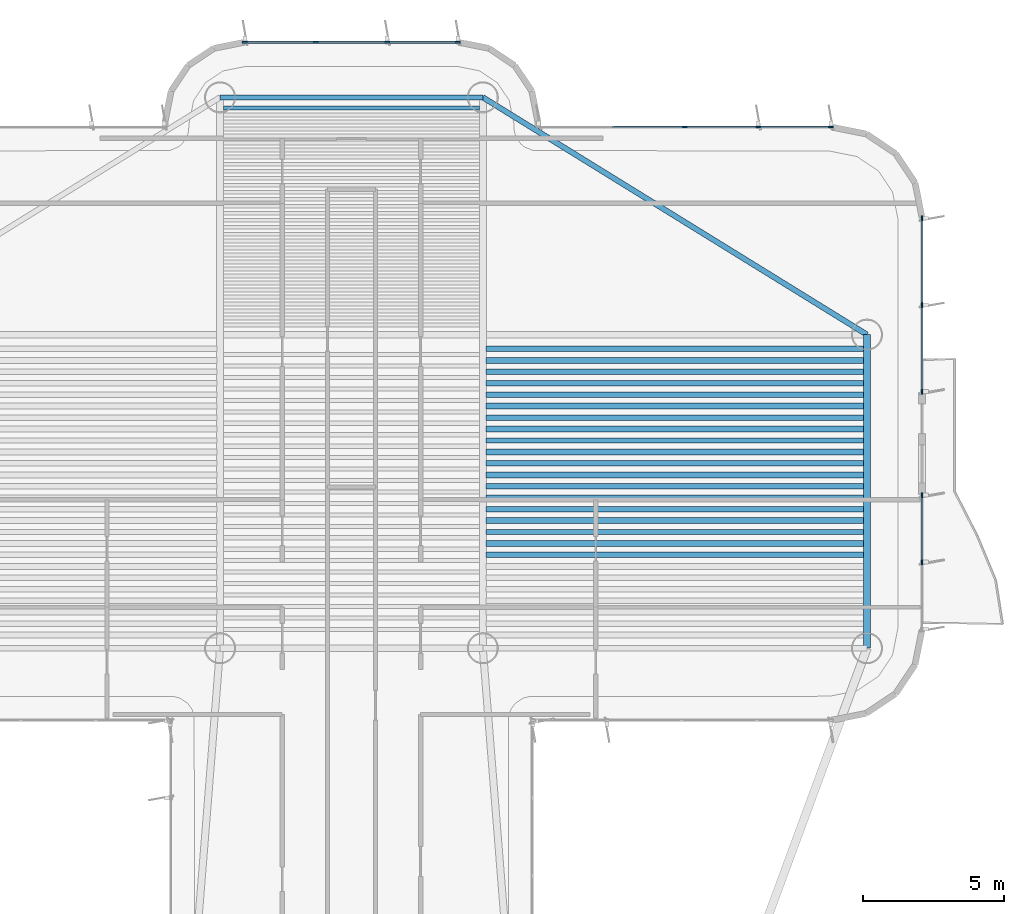
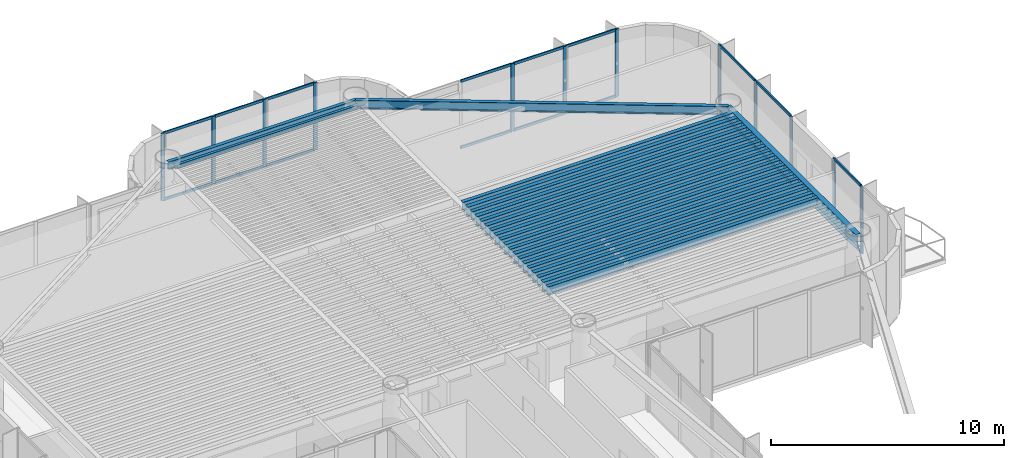
# One storey, part 7 of 14: 30 members, 23 beams, 4 elements without a shape of their own.
"""IFC4 building model written with IfcOpenShell, lengths in metres."""

from ifc_helpers import new_model, si_unit, direction, frame, origin, origin_2d, place, context, subcontext, project, spatial, rectangle, i_section, extrude, source, transform, mapped, material, layer, layer_set, material_profile, profile_set, type_object, element, aggregate, save


model = new_model("IFC4")

# Units and contexts
model_context = context("Model", 3, precision=1e-05, world=origin(), true_north=direction((0.0, 1.0)))
body_context = subcontext(model_context, "Body", "Model", "MODEL_VIEW")
ifc_project = project(units=[si_unit("LENGTHUNIT", "METRE"), si_unit("AREAUNIT", "SQUARE_METRE"), si_unit("VOLUMEUNIT", "CUBIC_METRE"), si_unit("PLANEANGLEUNIT", "RADIAN"), si_unit("MASSUNIT", "GRAM", prefix="KILO")], contexts=[model_context])

# Site, building, storey
site_placement = place(None, origin())
site = spatial("IfcSite", under=ifc_project, at=site_placement, CompositionType="ELEMENT")
building_placement = place(site_placement, origin())
building = spatial("IfcBuilding", under=site, at=building_placement, Name="Brelvock Crest Care Tower", CompositionType="ELEMENT")
storey_placement = place(building_placement, frame((0.0, 0.0, 175.320068359375)))
storey = spatial("IfcBuildingStorey", under=building, at=storey_placement, Name="L44", CompositionType="ELEMENT", Elevation=175.320068359375)

# Beams
ifc_material_1 = material(Name="Steel Grade 350", Category="steel")
ifc_material_profile_1 = material_profile(ifc_material_1, i_section(OverallWidth=0.177978515625, OverallDepth=0.406005859375, WebThickness=0.0078125, FlangeThickness=0.0126953125, FilletRadius=0.011474609375, at=origin_2d()), Name="410UB59.7")
ifc_profile_set_1 = profile_set([ifc_material_profile_1], Name="Steel Grade 350")
beam_type_1 = type_object("IfcBeamType", Name="BM-SP1", PredefinedType="SPANDREL", material=ifc_profile_set_1)
shared_shape_1 = source(origin(), body_context, "Body", "SweptSolid", [
    extrude(i_section(OverallWidth=0.177978515625, OverallDepth=0.406005859375, WebThickness=0.0078125, FlangeThickness=0.0126953125, FilletRadius=0.011474609375, at=origin_2d()), origin(), (0.0, 0.0, 1.0), 9.2998046875),
])
beam_1_placement = place(storey_placement, frame((31.35009765625, 54.449951171875, 3.326904296875), z_axis=(1.0, 0.0, 0.0), x_axis=(0.0, 1.0, 0.0)))
element("IfcBeam", 1, at=beam_1_placement, inside=storey, type_object=beam_type_1, Name="BM-TWR-L44-08", PredefinedType="SPANDREL", context=body_context, shape_type="MappedRepresentation", body=[
    mapped(shared_shape_1, transform((0.0, 0.0, 0.0), x_axis=(1.0, 0.0, 0.0), y_axis=(0.0, 1.0, 0.0), z_axis=(0.0, 0.0, 1.0), scale=1.0)),
])
ifc_material_profile_2 = material_profile(ifc_material_1, i_section(OverallWidth=0.134033203125, OverallDepth=0.20703125, WebThickness=0.00634765625, FlangeThickness=0.009521484375, FilletRadius=0.0087890625, at=origin_2d()), Name="200UB29.8")
ifc_profile_set_2 = profile_set([ifc_material_profile_2], Name="Steel Grade 350")
beam_type_2 = type_object("IfcBeamType", Name="BM-J4", PredefinedType="JOIST", material=ifc_profile_set_2)
shared_shape_2 = source(origin(), body_context, "Body", "SweptSolid", [
    extrude(i_section(OverallWidth=0.134033203125, OverallDepth=0.20703125, WebThickness=0.00634765625, FlangeThickness=0.009521484375, FilletRadius=0.0087890625, at=origin_2d()), origin(), (0.0, 0.0, 1.0), 9.06982421875),
])
beam_2_placement = place(storey_placement, frame((31.465087890625, 54.06787109375, 3.426513671875), z_axis=(1.0, 0.0, 0.0), x_axis=(0.0, 1.0, 0.0)))
element("IfcBeam", 2, at=beam_2_placement, inside=storey, type_object=beam_type_2, Name="BM-JN-L44-32", PredefinedType="JOIST", context=body_context, shape_type="MappedRepresentation", body=[
    mapped(shared_shape_2, transform((0.0, 0.0, 0.0), x_axis=(1.0, 0.0, 0.0), y_axis=(0.0, 1.0, 0.0), z_axis=(0.0, 0.0, 1.0), scale=1.0)),
])
ifc_material_profile_3 = material_profile(ifc_material_1, i_section(OverallWidth=0.208984375, OverallDepth=0.532958984375, WebThickness=0.01025390625, FlangeThickness=0.015625, FilletRadius=0.013916015625, at=origin_2d()), Name="530UB92.4")
ifc_profile_set_3 = profile_set([ifc_material_profile_3], Name="Steel Grade 350")
beam_type_3 = type_object("IfcBeamType", Name="BM-G2", PredefinedType="BEAM", material=ifc_profile_set_3)
shared_shape_3 = source(origin(), body_context, "Body", "SweptSolid", [
    extrude(i_section(OverallWidth=0.208984375, OverallDepth=0.532958984375, WebThickness=0.01025390625, FlangeThickness=0.015625, FilletRadius=0.013916015625, at=origin_2d()), origin(), (0.0, 0.0, 1.0), 13.3701171875),
])
for number, where, z_axis, x_axis, name in (
    (3, (40.764892578125, 38.657470703125, 3.263427734375), (1.0, 0.0, 0.0), (0.0, 1.0, 0.0), "BM-JE-L44-9"),
    (4, (40.764892578125, 39.4677734375, 3.263427734375), (1.0, 0.0, 0.0), (0.0, 1.0, 0.0), "BM-JE-L44-11"),
    (5, (40.764892578125, 40.278076171875, 3.263427734375), (1.0, 0.0, 0.0), (0.0, 1.0, 0.0), "BM-JE-L44-13"),
    (6, (40.764892578125, 41.08837890625, 3.263427734375), (1.0, 0.0, 0.0), (0.0, 1.0, 0.0), "BM-JE-L44-15"),
    (7, (40.764892578125, 41.898681640625, 3.263427734375), (1.0, 0.0, 0.0), (0.0, 1.0, 0.0), "BM-JE-L44-17"),
    (8, (40.764892578125, 42.708984375, 3.263427734375), (1.0, 0.0, 0.0), (0.0, 1.0, 0.0), "BM-JE-L44-19"),
    (9, (40.764892578125, 43.519287109375, 3.263427734375), (1.0, 0.0, 0.0), (0.0, 1.0, 0.0), "BM-JE-L44-21"),
    (10, (40.764892578125, 44.32958984375, 3.263427734375), (1.0, 0.0, 0.0), (0.0, 1.0, 0.0), "BM-JE-L44-23"),
    (11, (40.764892578125, 45.139892578125, 3.263427734375), (1.0, 0.0, 0.0), (0.0, 1.0, 0.0), "BM-JE-L44-25"),
):
    element("IfcBeam", number, at=place(storey_placement, frame(where, z_axis=z_axis, x_axis=x_axis)), inside=storey, type_object=beam_type_3, Name=name, PredefinedType="BEAM", context=body_context, shape_type="MappedRepresentation", body=[
        mapped(shared_shape_3, transform((0.0, 0.0, 0.0), x_axis=(1.0, 0.0, 0.0), y_axis=(0.0, 1.0, 0.0), z_axis=(0.0, 0.0, 1.0), scale=1.0)),
    ])
ifc_material_profile_4 = material_profile(ifc_material_1, i_section(OverallWidth=0.19091796875, OverallDepth=0.4599609375, WebThickness=0.010009765625, FlangeThickness=0.01611328125, FilletRadius=0.011474609375, at=origin_2d()), Name="460UB82.1")
ifc_profile_set_4 = profile_set([ifc_material_profile_4], Name="Steel Grade 350")
beam_type_4 = type_object("IfcBeamType", Name="BM-G3", PredefinedType="BEAM", material=ifc_profile_set_4)
shared_shape_4 = source(origin(), body_context, "Body", "SweptSolid", [
    extrude(i_section(OverallWidth=0.19091796875, OverallDepth=0.4599609375, WebThickness=0.010009765625, FlangeThickness=0.01611328125, FilletRadius=0.011474609375, at=origin_2d()), origin(), (0.0, 0.0, 1.0), 13.3701171875),
])
for number, where, z_axis, x_axis, name in (
    (12, (40.764892578125, 38.252197265625, 3.300048828125), (1.0, 0.0, 0.0), (0.0, 1.0, 0.0), "BM-JE-L44-8"),
    (13, (40.764892578125, 39.0625, 3.300048828125), (1.0, 0.0, 0.0), (0.0, 1.0, 0.0), "BM-JE-L44-10"),
    (14, (40.764892578125, 39.872802734375, 3.300048828125), (1.0, 0.0, 0.0), (0.0, 1.0, 0.0), "BM-JE-L44-12"),
    (15, (40.764892578125, 40.68310546875, 3.300048828125), (1.0, 0.0, 0.0), (0.0, 1.0, 0.0), "BM-JE-L44-14"),
    (16, (40.764892578125, 41.493408203125, 3.300048828125), (1.0, 0.0, 0.0), (0.0, 1.0, 0.0), "BM-JE-L44-16"),
    (17, (40.764892578125, 42.3037109375, 3.300048828125), (1.0, 0.0, 0.0), (0.0, 1.0, 0.0), "BM-JE-L44-18"),
    (18, (40.764892578125, 43.114013671875, 3.300048828125), (1.0, 0.0, 0.0), (0.0, 1.0, 0.0), "BM-JE-L44-20"),
    (19, (40.764892578125, 43.92431640625, 3.300048828125), (1.0, 0.0, 0.0), (0.0, 1.0, 0.0), "BM-JE-L44-22"),
    (20, (40.764892578125, 44.734619140625, 3.300048828125), (1.0, 0.0, 0.0), (0.0, 1.0, 0.0), "BM-JE-L44-24"),
    (21, (40.764892578125, 45.544921875, 3.300048828125), (1.0, 0.0, 0.0), (0.0, 1.0, 0.0), "BM-JE-L44-26"),
):
    element("IfcBeam", number, at=place(storey_placement, frame(where, z_axis=z_axis, x_axis=x_axis)), inside=storey, type_object=beam_type_4, Name=name, PredefinedType="BEAM", context=body_context, shape_type="MappedRepresentation", body=[
        mapped(shared_shape_4, transform((0.0, 0.0, 0.0), x_axis=(1.0, 0.0, 0.0), y_axis=(0.0, 1.0, 0.0), z_axis=(0.0, 0.0, 1.0), scale=1.0)),
    ])
ifc_material_profile_5 = material_profile(ifc_material_1, i_section(OverallWidth=0.25, OverallDepth=0.699951171875, WebThickness=0.011962890625, FlangeThickness=0.02001953125, at=origin_2d()), Name="700WB150")
ifc_profile_set_5 = profile_set([ifc_material_profile_5], Name="Steel Grade 350")
beam_type_5 = type_object("IfcBeamType", Name="BM-G4", PredefinedType="BEAM", material=ifc_profile_set_5)
shared_shape_5 = source(origin(), body_context, "Body", "SweptSolid", [
    extrude(i_section(OverallWidth=0.25, OverallDepth=0.699951171875, WebThickness=0.011962890625, FlangeThickness=0.02001953125, at=origin_2d()), origin(), (0.0, 0.0, 1.0), 11.10009765625),
])
beam_3_placement = place(storey_placement, frame((54.25, 34.949951171875, 3.179931640625), z_axis=(0.0, 1.0, 0.0), x_axis=(-1.0, 0.0, 0.0)))
element("IfcBeam", 22, at=beam_3_placement, inside=storey, type_object=beam_type_5, Name="BM-TWR-L44-02", PredefinedType="BEAM", context=body_context, shape_type="MappedRepresentation", body=[
    mapped(shared_shape_5, transform((0.0, 0.0, 0.0), x_axis=(1.0, 0.0, 0.0), y_axis=(0.0, 1.0, 0.0), z_axis=(0.0, 0.0, 1.0), scale=1.0)),
])
ifc_material_profile_6 = material_profile(ifc_material_1, i_section(OverallWidth=0.19091796875, OverallDepth=0.4599609375, WebThickness=0.010009765625, FlangeThickness=0.01611328125, FilletRadius=0.011474609375, at=origin_2d()), Name="460UB82.1")
ifc_profile_set_6 = profile_set([ifc_material_profile_6], Name="Steel Grade 350")
beam_type_6 = type_object("IfcBeamType", Name="BM-SP2", PredefinedType="SPANDREL", material=ifc_profile_set_6)
shared_shape_6 = source(origin(), body_context, "Body", "SweptSolid", [
    extrude(i_section(OverallWidth=0.19091796875, OverallDepth=0.4599609375, WebThickness=0.010009765625, FlangeThickness=0.01611328125, FilletRadius=0.011474609375, at=origin_2d()), origin(), (0.0, 0.0, 1.0), 15.985107421875),
])
beam_4_placement = place(storey_placement, frame((40.64990234375, 54.449951171875, 3.300048828125), z_axis=(0.850802415717, -0.525485727124, 0.0), x_axis=(0.525485727124, 0.850802415717, 0.0)))
element("IfcBeam", 23, at=beam_4_placement, inside=storey, type_object=beam_type_6, Name="BM-TWR-L44-07", PredefinedType="SPANDREL", context=body_context, shape_type="MappedRepresentation", body=[
    mapped(shared_shape_6, transform((0.0, 0.0, 0.0), x_axis=(1.0, 0.0, 0.0), y_axis=(0.0, 1.0, 0.0), z_axis=(0.0, 0.0, 1.0), scale=1.0)),
])

# Curtain wall, members
ifc_material_2 = material(Name="Dark Glass Double Glazed Low-E", Category="glass")
ifc_layer = layer(ifc_material_2, 0.22509765625, Name="CWS-4")
ifc_layer_set = layer_set([ifc_layer], Name="Dark Glass Double Glazed Low-E")
curtain_wall_type = type_object("IfcCurtainWallType", Name="CWS-4", PredefinedType="NOTDEFINED", material=ifc_layer_set)
curtain_wall_1_placement = place(storey_placement, origin())
curtain_wall_1 = element("IfcCurtainWall", 24, at=curtain_wall_1_placement, inside=storey, type_object=curtain_wall_type, Name="L44 Curtain Wall E28", PredefinedType="NOTDEFINED")
ifc_material_3 = material(Name="Aluminium 6063-T6", Category="aluminium")
ifc_material_profile_7 = material_profile(ifc_material_3, rectangle(XDim=0.06005859375, YDim=0.179931640625, at=origin_2d()), Name="ALU60x180")
ifc_profile_set_7 = profile_set([ifc_material_profile_7], Name="Aluminium 6063-T6")
member_type_1 = type_object("IfcMemberType", Name="CWM-2", PredefinedType="MULLION", material=ifc_profile_set_7)
shared_shape_7 = source(origin(), body_context, "Body", "SweptSolid", [
    extrude(rectangle(XDim=0.06005859375, YDim=0.179931640625, at=origin_2d()), origin(), (0.0, 0.0, 1.0), 3.530029296875),
])
member_1_placement = place(storey_placement, frame((32.22998046875, 56.39990234375, 0.0), z_axis=(0.0, 0.0, 1.0), x_axis=(0.0, 1.0, 0.0)))
member_1 = element("IfcMember", 25, at=member_1_placement, type_object=member_type_1, Name="CW-4 mullion 1", PredefinedType="MULLION", context=body_context, shape_type="MappedRepresentation", body=[
    mapped(shared_shape_7, transform((0.0, 0.0, 0.0), x_axis=(1.0, 0.0, 0.0), y_axis=(0.0, 1.0, 0.0), z_axis=(0.0, 0.0, 1.0), scale=1.0)),
])
member_2_placement = place(storey_placement, frame((34.7333984375, 56.39990234375, 0.0), z_axis=(0.0, 0.0, 1.0), x_axis=(0.0, 1.0, 0.0)))
member_2 = element("IfcMember", 26, at=member_2_placement, type_object=member_type_1, Name="CW-4 mullion 2", PredefinedType="MULLION", context=body_context, shape_type="MappedRepresentation", body=[
    mapped(shared_shape_7, transform((0.0, 0.0, 0.0), x_axis=(1.0, 0.0, 0.0), y_axis=(0.0, 1.0, 0.0), z_axis=(0.0, 0.0, 1.0), scale=1.0)),
])
member_3_placement = place(storey_placement, frame((37.2666015625, 56.39990234375, 0.0), z_axis=(0.0, 0.0, 1.0), x_axis=(0.0, 1.0, 0.0)))
member_3 = element("IfcMember", 27, at=member_3_placement, type_object=member_type_1, Name="CW-4 mullion 3", PredefinedType="MULLION", context=body_context, shape_type="MappedRepresentation", body=[
    mapped(shared_shape_7, transform((0.0, 0.0, 0.0), x_axis=(1.0, 0.0, 0.0), y_axis=(0.0, 1.0, 0.0), z_axis=(0.0, 0.0, 1.0), scale=1.0)),
])
member_4_placement = place(storey_placement, frame((39.77001953125, 56.39990234375, 0.0), z_axis=(0.0, 0.0, 1.0), x_axis=(0.0, 1.0, 0.0)))
member_4 = element("IfcMember", 28, at=member_4_placement, type_object=member_type_1, Name="CW-4 mullion 4", PredefinedType="MULLION", context=body_context, shape_type="MappedRepresentation", body=[
    mapped(shared_shape_7, transform((0.0, 0.0, 0.0), x_axis=(1.0, 0.0, 0.0), y_axis=(0.0, 1.0, 0.0), z_axis=(0.0, 0.0, 1.0), scale=1.0)),
])

curtain_wall_2_placement = place(storey_placement, origin())
curtain_wall_2 = element("IfcCurtainWall", 29, at=curtain_wall_2_placement, inside=storey, type_object=curtain_wall_type, Name="L44 Curtain Wall E34", PredefinedType="NOTDEFINED")
member_5_placement = place(storey_placement, frame((47.800048828125, 53.39990234375, 0.0), z_axis=(0.0, 0.0, 1.0), x_axis=(0.0, 1.0, 0.0)))
member_5 = element("IfcMember", 30, at=member_5_placement, type_object=member_type_1, Name="CW-4 mullion 3", PredefinedType="MULLION", context=body_context, shape_type="MappedRepresentation", body=[
    mapped(shared_shape_7, transform((0.0, 0.0, 0.0), x_axis=(1.0, 0.0, 0.0), y_axis=(0.0, 1.0, 0.0), z_axis=(0.0, 0.0, 1.0), scale=1.0)),
])
member_6_placement = place(storey_placement, frame((50.39990234375, 53.39990234375, 0.0), z_axis=(0.0, 0.0, 1.0), x_axis=(0.0, 1.0, 0.0)))
member_6 = element("IfcMember", 31, at=member_6_placement, type_object=member_type_1, Name="CW-4 mullion 4", PredefinedType="MULLION", context=body_context, shape_type="MappedRepresentation", body=[
    mapped(shared_shape_7, transform((0.0, 0.0, 0.0), x_axis=(1.0, 0.0, 0.0), y_axis=(0.0, 1.0, 0.0), z_axis=(0.0, 0.0, 1.0), scale=1.0)),
])
member_7_placement = place(storey_placement, frame((52.969970703125, 53.39990234375, 0.0), z_axis=(0.0, 0.0, 1.0), x_axis=(0.0, 1.0, 0.0)))
member_7 = element("IfcMember", 32, at=member_7_placement, type_object=member_type_1, Name="CW-4 mullion 5", PredefinedType="MULLION", context=body_context, shape_type="MappedRepresentation", body=[
    mapped(shared_shape_7, transform((0.0, 0.0, 0.0), x_axis=(1.0, 0.0, 0.0), y_axis=(0.0, 1.0, 0.0), z_axis=(0.0, 0.0, 1.0), scale=1.0)),
])

curtain_wall_3_placement = place(storey_placement, origin())
curtain_wall_3 = element("IfcCurtainWall", 33, at=curtain_wall_3_placement, inside=storey, type_object=curtain_wall_type, Name="L44 Curtain Wall E39A", PredefinedType="NOTDEFINED")
member_8_placement = place(storey_placement, frame((56.199951171875, 50.169921875, 0.0), z_axis=(0.0, 0.0, 1.0), x_axis=(1.0, 0.0, 0.0)))
member_8 = element("IfcMember", 34, at=member_8_placement, type_object=member_type_1, Name="CW-4 mullion 1", PredefinedType="MULLION", context=body_context, shape_type="MappedRepresentation", body=[
    mapped(shared_shape_7, transform((0.0, 0.0, 0.0), x_axis=(1.0, 0.0, 0.0), y_axis=(0.0, 1.0, 0.0), z_axis=(0.0, 0.0, 1.0), scale=1.0)),
])
member_9_placement = place(storey_placement, frame((56.199951171875, 47.10009765625, 0.0), z_axis=(0.0, 0.0, 1.0), x_axis=(1.0, 0.0, 0.0)))
member_9 = element("IfcMember", 35, at=member_9_placement, type_object=member_type_1, Name="CW-4 mullion 2", PredefinedType="MULLION", context=body_context, shape_type="MappedRepresentation", body=[
    mapped(shared_shape_7, transform((0.0, 0.0, 0.0), x_axis=(1.0, 0.0, 0.0), y_axis=(0.0, 1.0, 0.0), z_axis=(0.0, 0.0, 1.0), scale=1.0)),
])
member_10_placement = place(storey_placement, frame((56.199951171875, 44.030029296875, 0.0), z_axis=(0.0, 0.0, 1.0), x_axis=(1.0, 0.0, 0.0)))
member_10 = element("IfcMember", 36, at=member_10_placement, type_object=member_type_1, Name="CW-4 mullion 3", PredefinedType="MULLION", context=body_context, shape_type="MappedRepresentation", body=[
    mapped(shared_shape_7, transform((0.0, 0.0, 0.0), x_axis=(1.0, 0.0, 0.0), y_axis=(0.0, 1.0, 0.0), z_axis=(0.0, 0.0, 1.0), scale=1.0)),
])

curtain_wall_4_placement = place(storey_placement, origin())
curtain_wall_4 = element("IfcCurtainWall", 37, at=curtain_wall_4_placement, inside=storey, type_object=curtain_wall_type, Name="L44 Curtain Wall E39B", PredefinedType="NOTDEFINED")
member_11_placement = place(storey_placement, frame((56.199951171875, 40.3701171875, 0.0), z_axis=(0.0, 0.0, 1.0), x_axis=(1.0, 0.0, 0.0)))
member_11 = element("IfcMember", 38, at=member_11_placement, type_object=member_type_1, Name="CW-4 mullion 1", PredefinedType="MULLION", context=body_context, shape_type="MappedRepresentation", body=[
    mapped(shared_shape_7, transform((0.0, 0.0, 0.0), x_axis=(1.0, 0.0, 0.0), y_axis=(0.0, 1.0, 0.0), z_axis=(0.0, 0.0, 1.0), scale=1.0)),
])
member_12_placement = place(storey_placement, frame((56.199951171875, 38.0, 0.0), z_axis=(0.0, 0.0, 1.0), x_axis=(1.0, 0.0, 0.0)))
member_12 = element("IfcMember", 39, at=member_12_placement, type_object=member_type_1, Name="CW-4 mullion 2", PredefinedType="MULLION", context=body_context, shape_type="MappedRepresentation", body=[
    mapped(shared_shape_7, transform((0.0, 0.0, 0.0), x_axis=(1.0, 0.0, 0.0), y_axis=(0.0, 1.0, 0.0), z_axis=(0.0, 0.0, 1.0), scale=1.0)),
])

# Member
ifc_material_profile_8 = material_profile(ifc_material_3, rectangle(XDim=0.06005859375, YDim=0.139892578125, at=origin_2d()), Name="ALU60x140")
ifc_profile_set_8 = profile_set([ifc_material_profile_8], Name="Aluminium 6063-T6")
member_type_2 = type_object("IfcMemberType", Name="CWT-2", PredefinedType="USERDEFINED", material=ifc_profile_set_8)
shared_shape_8 = source(origin(), body_context, "Body", "SweptSolid", [
    extrude(rectangle(XDim=0.06005859375, YDim=0.139892578125, at=origin_2d()), origin(), (0.0, 0.0, 1.0), 2.443359375),
])
member_13_placement = place(storey_placement, frame((32.260009765625, 56.39990234375, 0.030029296875), z_axis=(1.0, 0.0, 0.0), x_axis=(0.0, 1.0, 0.0)))
member_13 = element("IfcMember", 40, at=member_13_placement, type_object=member_type_2, Name="CW-4 transom 1.1", ObjectType="TRANSOM", PredefinedType="USERDEFINED", context=body_context, shape_type="MappedRepresentation", body=[
    mapped(shared_shape_8, transform((0.0, 0.0, 0.0), x_axis=(1.0, 0.0, 0.0), y_axis=(0.0, 1.0, 0.0), z_axis=(0.0, 0.0, 1.0), scale=1.0)),
])

member_14_placement = place(storey_placement, frame((32.260009765625, 56.39990234375, 3.5), z_axis=(1.0, 0.0, 0.0), x_axis=(0.0, 1.0, 0.0)))
member_14 = element("IfcMember", 41, at=member_14_placement, type_object=member_type_2, Name="CW-4 transom 1.2", ObjectType="TRANSOM", PredefinedType="USERDEFINED", context=body_context, shape_type="MappedRepresentation", body=[
    mapped(shared_shape_8, transform((0.0, 0.0, 0.0), x_axis=(1.0, 0.0, 0.0), y_axis=(0.0, 1.0, 0.0), z_axis=(0.0, 0.0, 1.0), scale=1.0)),
])

member_15_placement = place(storey_placement, frame((37.296630859375, 56.39990234375, 0.030029296875), z_axis=(1.0, 0.0, 0.0), x_axis=(0.0, 1.0, 0.0)))
member_15 = element("IfcMember", 42, at=member_15_placement, type_object=member_type_2, Name="CW-4 transom 3.1", ObjectType="TRANSOM", PredefinedType="USERDEFINED", context=body_context, shape_type="MappedRepresentation", body=[
    mapped(shared_shape_8, transform((0.0, 0.0, 0.0), x_axis=(1.0, 0.0, 0.0), y_axis=(0.0, 1.0, 0.0), z_axis=(0.0, 0.0, 1.0), scale=1.0)),
])

member_16_placement = place(storey_placement, frame((37.296630859375, 56.39990234375, 3.5), z_axis=(1.0, 0.0, 0.0), x_axis=(0.0, 1.0, 0.0)))
member_16 = element("IfcMember", 43, at=member_16_placement, type_object=member_type_2, Name="CW-4 transom 3.2", ObjectType="TRANSOM", PredefinedType="USERDEFINED", context=body_context, shape_type="MappedRepresentation", body=[
    mapped(shared_shape_8, transform((0.0, 0.0, 0.0), x_axis=(1.0, 0.0, 0.0), y_axis=(0.0, 1.0, 0.0), z_axis=(0.0, 0.0, 1.0), scale=1.0)),
])

shared_shape_9 = source(origin(), body_context, "Body", "SweptSolid", [
    extrude(rectangle(XDim=0.06005859375, YDim=0.139892578125, at=origin_2d()), origin(), (0.0, 0.0, 1.0), 2.47314453125),
])
member_17_placement = place(storey_placement, frame((34.763427734375, 56.39990234375, 0.030029296875), z_axis=(1.0, 0.0, 0.0), x_axis=(0.0, 1.0, 0.0)))
member_17 = element("IfcMember", 44, at=member_17_placement, type_object=member_type_2, Name="CW-4 transom 2.1", ObjectType="TRANSOM", PredefinedType="USERDEFINED", context=body_context, shape_type="MappedRepresentation", body=[
    mapped(shared_shape_9, transform((0.0, 0.0, 0.0), x_axis=(1.0, 0.0, 0.0), y_axis=(0.0, 1.0, 0.0), z_axis=(0.0, 0.0, 1.0), scale=1.0)),
])

member_18_placement = place(storey_placement, frame((34.763427734375, 56.39990234375, 3.5), z_axis=(1.0, 0.0, 0.0), x_axis=(0.0, 1.0, 0.0)))
member_18 = element("IfcMember", 45, at=member_18_placement, type_object=member_type_2, Name="CW-4 transom 2.2", ObjectType="TRANSOM", PredefinedType="USERDEFINED", context=body_context, shape_type="MappedRepresentation", body=[
    mapped(shared_shape_9, transform((0.0, 0.0, 0.0), x_axis=(1.0, 0.0, 0.0), y_axis=(0.0, 1.0, 0.0), z_axis=(0.0, 0.0, 1.0), scale=1.0)),
])

aggregate(curtain_wall_1, [member_1, member_2, member_3, member_4, member_13, member_14, member_17, member_18, member_15, member_16])

shared_shape_10 = source(origin(), body_context, "Body", "SweptSolid", [
    extrude(rectangle(XDim=0.06005859375, YDim=0.139892578125, at=origin_2d()), origin(), (0.0, 0.0, 1.0), 2.510009765625),
])
member_19_placement = place(storey_placement, frame((50.429931640625, 53.39990234375, 0.030029296875), z_axis=(1.0, 0.0, 0.0), x_axis=(0.0, 1.0, 0.0)))
member_19 = element("IfcMember", 46, at=member_19_placement, type_object=member_type_2, Name="CW-4 transom 4.1", ObjectType="TRANSOM", PredefinedType="USERDEFINED", context=body_context, shape_type="MappedRepresentation", body=[
    mapped(shared_shape_10, transform((0.0, 0.0, 0.0), x_axis=(1.0, 0.0, 0.0), y_axis=(0.0, 1.0, 0.0), z_axis=(0.0, 0.0, 1.0), scale=1.0)),
])

member_20_placement = place(storey_placement, frame((50.429931640625, 53.39990234375, 3.5), z_axis=(1.0, 0.0, 0.0), x_axis=(0.0, 1.0, 0.0)))
member_20 = element("IfcMember", 47, at=member_20_placement, type_object=member_type_2, Name="CW-4 transom 4.2", ObjectType="TRANSOM", PredefinedType="USERDEFINED", context=body_context, shape_type="MappedRepresentation", body=[
    mapped(shared_shape_10, transform((0.0, 0.0, 0.0), x_axis=(1.0, 0.0, 0.0), y_axis=(0.0, 1.0, 0.0), z_axis=(0.0, 0.0, 1.0), scale=1.0)),
])

shared_shape_11 = source(origin(), body_context, "Body", "SweptSolid", [
    extrude(rectangle(XDim=0.06005859375, YDim=0.139892578125, at=origin_2d()), origin(), (0.0, 0.0, 1.0), 2.5400390625),
])
member_21_placement = place(storey_placement, frame((45.22998046875, 53.39990234375, 0.030029296875), z_axis=(1.0, 0.0, 0.0), x_axis=(0.0, 1.0, 0.0)))
member_21 = element("IfcMember", 48, at=member_21_placement, type_object=member_type_2, Name="CW-4 transom 2.1", ObjectType="TRANSOM", PredefinedType="USERDEFINED", context=body_context, shape_type="MappedRepresentation", body=[
    mapped(shared_shape_11, transform((0.0, 0.0, 0.0), x_axis=(1.0, 0.0, 0.0), y_axis=(0.0, 1.0, 0.0), z_axis=(0.0, 0.0, 1.0), scale=1.0)),
])

member_22_placement = place(storey_placement, frame((45.22998046875, 53.39990234375, 3.5), z_axis=(1.0, 0.0, 0.0), x_axis=(0.0, 1.0, 0.0)))
member_22 = element("IfcMember", 49, at=member_22_placement, type_object=member_type_2, Name="CW-4 transom 2.2", ObjectType="TRANSOM", PredefinedType="USERDEFINED", context=body_context, shape_type="MappedRepresentation", body=[
    mapped(shared_shape_11, transform((0.0, 0.0, 0.0), x_axis=(1.0, 0.0, 0.0), y_axis=(0.0, 1.0, 0.0), z_axis=(0.0, 0.0, 1.0), scale=1.0)),
])

member_23_placement = place(storey_placement, frame((47.830078125, 53.39990234375, 0.030029296875), z_axis=(1.0, 0.0, 0.0), x_axis=(0.0, 1.0, 0.0)))
member_23 = element("IfcMember", 50, at=member_23_placement, type_object=member_type_2, Name="CW-4 transom 3.1", ObjectType="TRANSOM", PredefinedType="USERDEFINED", context=body_context, shape_type="MappedRepresentation", body=[
    mapped(shared_shape_11, transform((0.0, 0.0, 0.0), x_axis=(1.0, 0.0, 0.0), y_axis=(0.0, 1.0, 0.0), z_axis=(0.0, 0.0, 1.0), scale=1.0)),
])

member_24_placement = place(storey_placement, frame((47.830078125, 53.39990234375, 3.5), z_axis=(1.0, 0.0, 0.0), x_axis=(0.0, 1.0, 0.0)))
member_24 = element("IfcMember", 51, at=member_24_placement, type_object=member_type_2, Name="CW-4 transom 3.2", ObjectType="TRANSOM", PredefinedType="USERDEFINED", context=body_context, shape_type="MappedRepresentation", body=[
    mapped(shared_shape_11, transform((0.0, 0.0, 0.0), x_axis=(1.0, 0.0, 0.0), y_axis=(0.0, 1.0, 0.0), z_axis=(0.0, 0.0, 1.0), scale=1.0)),
])

aggregate(curtain_wall_2, [member_5, member_6, member_7, member_21, member_22, member_23, member_24, member_19, member_20])

shared_shape_12 = source(origin(), body_context, "Body", "SweptSolid", [
    extrude(rectangle(XDim=0.06005859375, YDim=0.139892578125, at=origin_2d()), origin(), (0.0, 0.0, 1.0), 2.31005859375),
])
member_25_placement = place(storey_placement, frame((56.199951171875, 40.340087890625, 0.030029296875), z_axis=(0.0, -1.0, 0.0), x_axis=(1.0, 0.0, 0.0)))
member_25 = element("IfcMember", 52, at=member_25_placement, type_object=member_type_2, Name="CW-4 transom 1.1", ObjectType="TRANSOM", PredefinedType="USERDEFINED", context=body_context, shape_type="MappedRepresentation", body=[
    mapped(shared_shape_12, transform((0.0, 0.0, 0.0), x_axis=(1.0, 0.0, 0.0), y_axis=(0.0, 1.0, 0.0), z_axis=(0.0, 0.0, 1.0), scale=1.0)),
])

member_26_placement = place(storey_placement, frame((56.199951171875, 40.340087890625, 3.5), z_axis=(0.0, -1.0, 0.0), x_axis=(1.0, 0.0, 0.0)))
member_26 = element("IfcMember", 53, at=member_26_placement, type_object=member_type_2, Name="CW-4 transom 1.2", ObjectType="TRANSOM", PredefinedType="USERDEFINED", context=body_context, shape_type="MappedRepresentation", body=[
    mapped(shared_shape_12, transform((0.0, 0.0, 0.0), x_axis=(1.0, 0.0, 0.0), y_axis=(0.0, 1.0, 0.0), z_axis=(0.0, 0.0, 1.0), scale=1.0)),
])

aggregate(curtain_wall_4, [member_11, member_12, member_25, member_26])

shared_shape_13 = source(origin(), body_context, "Body", "SweptSolid", [
    extrude(rectangle(XDim=0.06005859375, YDim=0.139892578125, at=origin_2d()), origin(), (0.0, 0.0, 1.0), 3.010009765625),
])
member_27_placement = place(storey_placement, frame((56.199951171875, 50.139892578125, 0.030029296875), z_axis=(0.0, -1.0, 0.0), x_axis=(1.0, 0.0, 0.0)))
member_27 = element("IfcMember", 54, at=member_27_placement, type_object=member_type_2, Name="CW-4 transom 1.1", ObjectType="TRANSOM", PredefinedType="USERDEFINED", context=body_context, shape_type="MappedRepresentation", body=[
    mapped(shared_shape_13, transform((0.0, 0.0, 0.0), x_axis=(1.0, 0.0, 0.0), y_axis=(0.0, 1.0, 0.0), z_axis=(0.0, 0.0, 1.0), scale=1.0)),
])

member_28_placement = place(storey_placement, frame((56.199951171875, 50.139892578125, 3.5), z_axis=(0.0, -1.0, 0.0), x_axis=(1.0, 0.0, 0.0)))
member_28 = element("IfcMember", 55, at=member_28_placement, type_object=member_type_2, Name="CW-4 transom 1.2", ObjectType="TRANSOM", PredefinedType="USERDEFINED", context=body_context, shape_type="MappedRepresentation", body=[
    mapped(shared_shape_13, transform((0.0, 0.0, 0.0), x_axis=(1.0, 0.0, 0.0), y_axis=(0.0, 1.0, 0.0), z_axis=(0.0, 0.0, 1.0), scale=1.0)),
])

member_29_placement = place(storey_placement, frame((56.199951171875, 47.070068359375, 0.030029296875), z_axis=(0.0, -1.0, 0.0), x_axis=(1.0, 0.0, 0.0)))
member_29 = element("IfcMember", 56, at=member_29_placement, type_object=member_type_2, Name="CW-4 transom 2.1", ObjectType="TRANSOM", PredefinedType="USERDEFINED", context=body_context, shape_type="MappedRepresentation", body=[
    mapped(shared_shape_13, transform((0.0, 0.0, 0.0), x_axis=(1.0, 0.0, 0.0), y_axis=(0.0, 1.0, 0.0), z_axis=(0.0, 0.0, 1.0), scale=1.0)),
])

member_30_placement = place(storey_placement, frame((56.199951171875, 47.070068359375, 3.5), z_axis=(0.0, -1.0, 0.0), x_axis=(1.0, 0.0, 0.0)))
member_30 = element("IfcMember", 57, at=member_30_placement, type_object=member_type_2, Name="CW-4 transom 2.2", ObjectType="TRANSOM", PredefinedType="USERDEFINED", context=body_context, shape_type="MappedRepresentation", body=[
    mapped(shared_shape_13, transform((0.0, 0.0, 0.0), x_axis=(1.0, 0.0, 0.0), y_axis=(0.0, 1.0, 0.0), z_axis=(0.0, 0.0, 1.0), scale=1.0)),
])

aggregate(curtain_wall_3, [member_8, member_9, member_10, member_27, member_28, member_29, member_30])

save(model, "model.ifc")
